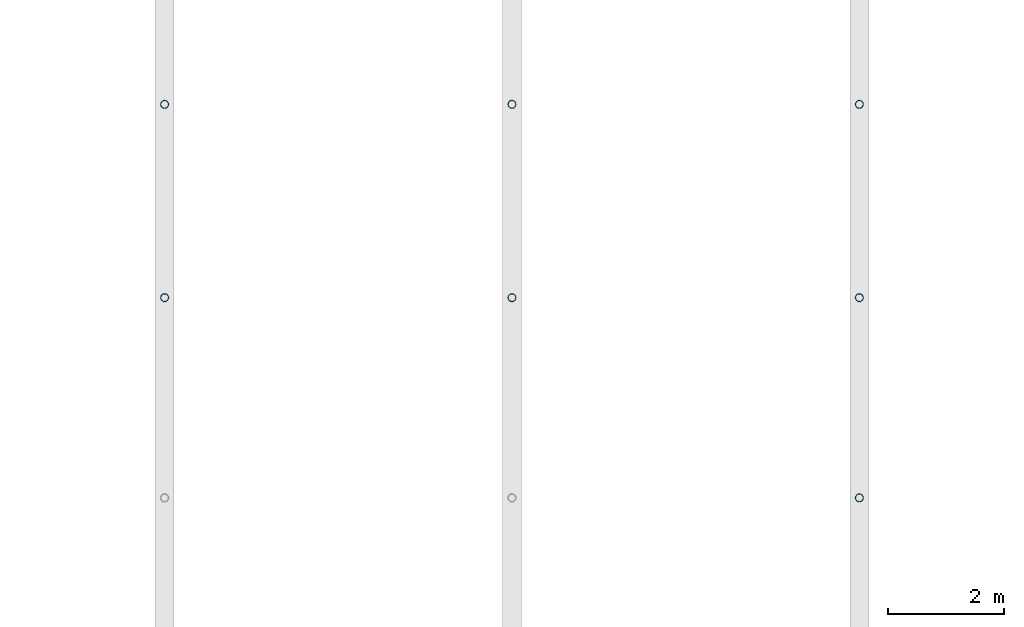
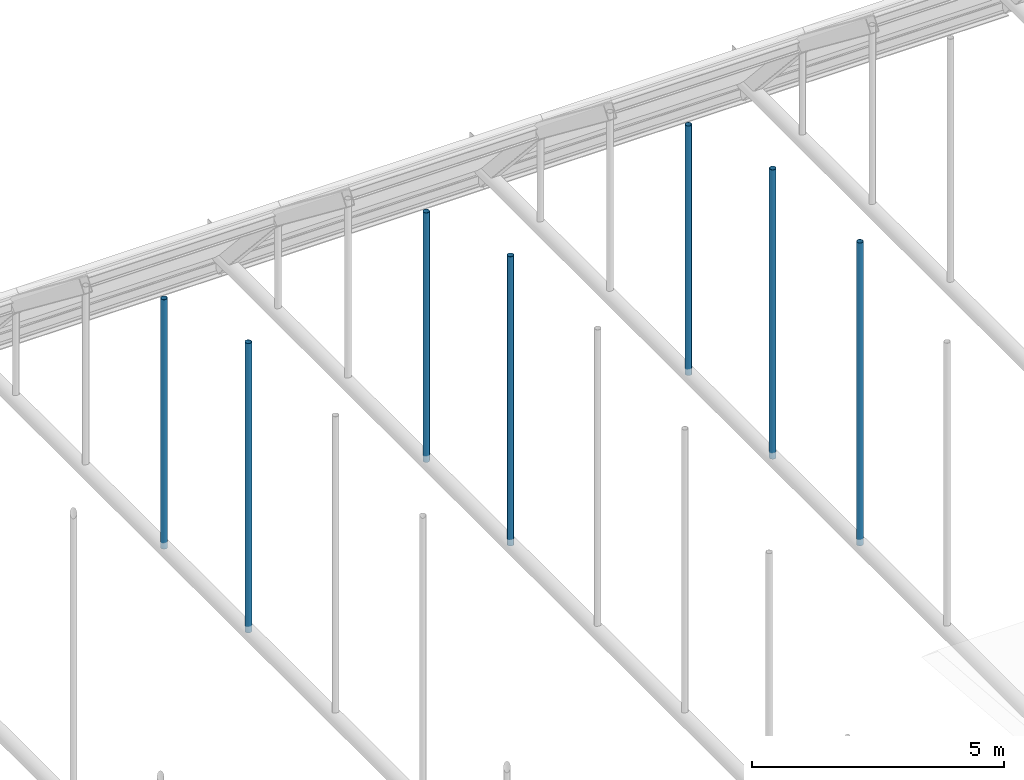
# One storey, part 51 of 116: 7 members.
"""IFC4 building model written with IfcOpenShell, lengths in metres."""

import ifcopenshell
import ifcopenshell.guid

model = None  # the IFC model being written
_history = None  # IfcOwnerHistory: only IFC2X3 demands one
_inside = {}  # id of a spatial element -> (the spatial element, [elements in it])
_under = {}  # id of a project, library or spatial element -> (it, [spatial elements below it])
_declared = {}  # id of a project -> (the project, [libraries it declares])
_typed = {}  # id of a type object -> (the type object, [elements of that type])
_made_of = {}  # id of a material, layer set ... -> (it, [elements and type objects made of it])


def new_model(schema):
    """Start an empty IFC model of exactly this schema.

    Asked for "IFC4X3", IfcOpenShell would pick the latest addendum, in which some entities
    have other attributes; the version numbers below select the first issue.
    IFC2X3 requires an IfcOwnerHistory on every rooted entity: one is made here for all.
    """
    global model, _history
    if schema == "IFC4X3":
        model = ifcopenshell.file(schema_version=(4, 3, 0, 0))
    else:
        model = ifcopenshell.file(schema=schema)
    _inside.clear()
    _under.clear()
    _declared.clear()
    _typed.clear()
    _made_of.clear()
    _history = None
    if model.schema == "IFC2X3":
        org = make("IfcOrganization", Name="unknown")
        user = make(
            "IfcPersonAndOrganization",
            ThePerson=make("IfcPerson", FamilyName="unknown"),
            TheOrganization=org,
        )
        app = make(
            "IfcApplication",
            ApplicationDeveloper=org,
            Version="unknown",
            ApplicationFullName="unknown",
            ApplicationIdentifier="unknown",
        )
        _history = make(
            "IfcOwnerHistory",
            OwningUser=user,
            OwningApplication=app,
            ChangeAction="ADDED",
            CreationDate=0,
        )
    return model


def make(cls, **values):
    """One entity of the class cls with the attributes given. An attribute that is None is left unset."""
    return model.create_entity(
        cls, **{name: value for name, value in values.items() if value is not None}
    )


def rooted(cls, **values):
    """An entity with a GlobalId (a new one), such as an element, a storey or a relation."""
    return make(cls, GlobalId=ifcopenshell.guid.new(), OwnerHistory=_history, **values)


def si_unit(unit_type, name, prefix=None):
    """IfcSIUnit, for example si_unit("LENGTHUNIT", "METRE", prefix="MILLI")."""
    return make("IfcSIUnit", UnitType=unit_type, Prefix=prefix, Name=name)


def assignment(units):
    """IfcUnitAssignment: the units of a project."""
    return None if units is None else make("IfcUnitAssignment", Units=units)


def point(xyz):
    """IfcCartesianPoint."""
    return None if xyz is None else make("IfcCartesianPoint", Coordinates=xyz)


def direction(xyz):
    """IfcDirection."""
    return None if xyz is None else make("IfcDirection", DirectionRatios=xyz)


def frame(location, z_axis=None, x_axis=None):
    """IfcAxis2Placement3D, a coordinate frame: its origin and axes. An axis left out is left unset."""
    return make(
        "IfcAxis2Placement3D",
        Location=point(location),
        Axis=direction(z_axis),
        RefDirection=direction(x_axis),
    )


def frame_2d(location, x_axis=None):
    """IfcAxis2Placement2D, a coordinate frame in the plane: its origin and x axis."""
    return make(
        "IfcAxis2Placement2D", Location=point(location), RefDirection=direction(x_axis)
    )


def origin():
    """The frame at (0, 0, 0) with its axes left unset."""
    return frame((0.0, 0.0, 0.0))


def origin_2d():
    """The frame at (0, 0) in the plane with its x axis left unset."""
    return frame_2d((0.0, 0.0))


def place(relative_to, where):
    """IfcLocalPlacement: puts the frame where relative to a parent placement (None: the world)."""
    return make(
        "IfcLocalPlacement", PlacementRelTo=relative_to, RelativePlacement=where
    )


def context(
    kind, dimensions, precision=None, world=None, true_north=None, identifier=None
):
    """IfcGeometricRepresentationContext, for example the 3D "Model" context."""
    return make(
        "IfcGeometricRepresentationContext",
        ContextIdentifier=identifier,
        ContextType=kind,
        CoordinateSpaceDimension=dimensions,
        Precision=precision,
        WorldCoordinateSystem=world,
        TrueNorth=true_north,
    )


def subcontext(parent, identifier, kind, view, scale=None):
    """IfcGeometricRepresentationSubContext, for example "Body" below "Model"."""
    return make(
        "IfcGeometricRepresentationSubContext",
        ContextIdentifier=identifier,
        ContextType=kind,
        ParentContext=parent,
        TargetScale=scale,
        TargetView=view,
    )


def project(units=None, contexts=None):
    """IfcProject with its units and contexts."""
    return rooted(
        "IfcProject",
        Name="project",
        RepresentationContexts=contexts,
        UnitsInContext=assignment(units),
    )


def spatial(cls, under=None, at=None, **own):
    """A site, building, storey or space (cls), placed at a placement, below another one or the project."""
    s = rooted(cls, ObjectPlacement=at, **own)
    if under is not None:
        _under.setdefault(under.id(), (under, []))[1].append(s)
    return s


def profile(cls, at=None, kind="AREA", **sizes):
    """A parametric profile (cls). Its sizes go by their IFC names, for example OverallWidth=200.0."""
    return make(cls, ProfileType=kind, Position=at, **sizes)


def hollow_circle(**sizes):
    """IfcCircleHollowProfileDef."""
    return profile("IfcCircleHollowProfileDef", **sizes)


def extrude(swept, where, along, depth):
    """IfcExtrudedAreaSolid: the profile swept, set in the frame where, extruded along a direction by depth."""
    return make(
        "IfcExtrudedAreaSolid",
        SweptArea=swept,
        Position=where,
        ExtrudedDirection=direction(along),
        Depth=depth,
    )


def shape(context_of_items, identifier, shape_type, items):
    """IfcShapeRepresentation: the items that make up one representation, for example the "Body"."""
    return make(
        "IfcShapeRepresentation",
        ContextOfItems=context_of_items,
        RepresentationIdentifier=identifier,
        RepresentationType=shape_type,
        Items=items,
    )


def material(Name=None, Category=None):
    """IfcMaterial."""
    return make("IfcMaterial", Name=Name, Category=Category)


def material_profile(
    of_material, cross_section, Name=None, Category=None, Priority=None
):
    """IfcMaterialProfile: a cross section and its material."""
    return make(
        "IfcMaterialProfile",
        Name=Name,
        Material=of_material,
        Profile=cross_section,
        Priority=Priority,
        Category=Category,
    )


def profile_set(profiles, Name=None, composite=None):
    """IfcMaterialProfileSet."""
    return make(
        "IfcMaterialProfileSet",
        Name=Name,
        MaterialProfiles=profiles,
        CompositeProfile=composite,
    )


def made_of(thing, what):
    """Note that an element or type object is made of a material, layer set ...; save() writes the relation."""
    if what is not None:
        _made_of.setdefault(what.id(), (what, []))[1].append(thing)
    return thing


def type_object(cls, material=None, **own):
    """A type object (cls), such as IfcWallType, which elements share."""
    return made_of(rooted(cls, **own), material)


def element(
    cls,
    number,
    at=None,
    inside=None,
    cuts=None,
    type_object=None,
    material=None,
    context=None,
    identifier="Body",
    shape_type=None,
    held_by="IfcProductDefinitionShape",
    body=None,
    shapes=None,
    **own,
):
    """One element of the class cls, such as IfcWall. Its Tag is "e" and its number.

    at: its placement. inside: the storey or other place that contains it. cuts: it is an
    opening in that element (IfcRelVoidsElement). A single representation is given by context,
    identifier, shape_type and body (its items); several are given by shapes. held_by: the class
    of the entity that holds the representations. save() writes the other relations.
    """
    e = rooted(cls, Tag="e%d" % number, ObjectPlacement=at, **own)
    if body is not None:
        shapes = [shape(context, identifier, shape_type, body)]
    if shapes is not None:
        e.Representation = make(held_by, Representations=shapes)
    if inside is not None:
        _inside.setdefault(inside.id(), (inside, []))[1].append(e)
    if cuts is not None:
        rooted(
            "IfcRelVoidsElement", RelatingBuildingElement=cuts, RelatedOpeningElement=e
        )
    if type_object is not None:
        _typed.setdefault(type_object.id(), (type_object, []))[1].append(e)
    return made_of(e, material)


def aggregate(whole, parts):
    """IfcRelAggregates: a whole, such as a stair, and the parts it consists of."""
    return rooted("IfcRelAggregates", RelatingObject=whole, RelatedObjects=parts)


def save(model, path):
    """Write the relations noted so far, then the file.

    IfcRelAggregates (storeys below a building ...), IfcRelContainedInSpatialStructure (elements
    in a storey), IfcRelDefinesByType, IfcRelAssociatesMaterial and IfcRelDeclares: one each for
    every whole, place, type object, material and project.
    """
    for whole, parts in _under.values():
        aggregate(whole, parts)
    for where, things in _inside.values():
        rooted(
            "IfcRelContainedInSpatialStructure",
            RelatedElements=things,
            RelatingStructure=where,
        )
    for kind, things in _typed.values():
        rooted("IfcRelDefinesByType", RelatedObjects=things, RelatingType=kind)
    for what, things in _made_of.values():
        rooted("IfcRelAssociatesMaterial", RelatedObjects=things, RelatingMaterial=what)
    for by, libraries in _declared.values():
        rooted("IfcRelDeclares", RelatingContext=by, RelatedDefinitions=libraries)
    model.write(path)


model = new_model("IFC4")

# Units and contexts
model_context = context("Model", 3, precision=1e-05, world=origin(), true_north=direction((0.0, 1.0)))
body_context = subcontext(model_context, "Body", "Model", "MODEL_VIEW")
ifc_project = project(units=[si_unit("LENGTHUNIT", "METRE"), si_unit("AREAUNIT", "SQUARE_METRE"), si_unit("VOLUMEUNIT", "CUBIC_METRE"), si_unit("PLANEANGLEUNIT", "RADIAN"), si_unit("MASSUNIT", "GRAM", prefix="KILO")], contexts=[model_context])

# Site, building, storey
site_placement = place(None, origin())
site = spatial("IfcSite", under=ifc_project, at=site_placement, CompositionType="ELEMENT")
building_placement = place(site_placement, origin())
building = spatial("IfcBuilding", under=site, at=building_placement, Name="Varnakota Square Police Headquarters", CompositionType="ELEMENT")
storey_placement = place(building_placement, frame((0.0, 0.0, 9.300048828125)))
storey = spatial("IfcBuildingStorey", under=building, at=storey_placement, Name="L02", CompositionType="ELEMENT", Elevation=9.300048828125)

# Members
ifc_material = material(Name="Steel IS 2062 Grade 350", Category="steel")
ifc_material_profile = material_profile(ifc_material, hollow_circle(Radius=0.06982421875, WallThickness=0.006103515625, at=origin_2d()), Name="CHS 139.7x6.0")
ifc_profile_set = profile_set([ifc_material_profile], Name="Steel IS 2062 Grade 350")
member_type = type_object("IfcMemberType", Name="MEM-HNG-CHS139", PredefinedType="STRUT", material=ifc_profile_set)
member_1_placement = place(storey_placement, frame((72.0, 27.45751953125, -0.150146484375), z_axis=(0.0, 0.0, 1.0), x_axis=(1.0, 0.0, 0.0)))
element("IfcMember", 1, at=member_1_placement, inside=storey, type_object=member_type, Name="Barrel vault hanger strut V1-R04-N6", PredefinedType="STRUT", context=body_context, shape_type="SweptSolid", body=[
    extrude(hollow_circle(Radius=0.06982421875, WallThickness=0.006103515625, at=origin_2d()), origin(), (0.0, 0.0, 1.0), 7.0),
])
member_2_placement = place(storey_placement, frame((72.0, 30.79638671875, -0.150146484375), z_axis=(0.0, 0.0, 1.0), x_axis=(1.0, 0.0, 0.0)))
element("IfcMember", 2, at=member_2_placement, inside=storey, type_object=member_type, Name="Barrel vault hanger strut V1-R04-N7", PredefinedType="STRUT", context=body_context, shape_type="SweptSolid", body=[
    extrude(hollow_circle(Radius=0.06982421875, WallThickness=0.006103515625, at=origin_2d()), origin(), (0.0, 0.0, 1.0), 6.035400390625),
])
member_3_placement = place(storey_placement, frame((78.0, 27.45751953125, -0.150146484375), z_axis=(0.0, 0.0, 1.0), x_axis=(1.0, 0.0, 0.0)))
element("IfcMember", 3, at=member_3_placement, inside=storey, type_object=member_type, Name="Barrel vault hanger strut V1-R05-N6", PredefinedType="STRUT", context=body_context, shape_type="SweptSolid", body=[
    extrude(hollow_circle(Radius=0.06982421875, WallThickness=0.006103515625, at=origin_2d()), origin(), (0.0, 0.0, 1.0), 7.0),
])
member_4_placement = place(storey_placement, frame((78.0, 30.79638671875, -0.150146484375), z_axis=(0.0, 0.0, 1.0), x_axis=(1.0, 0.0, 0.0)))
element("IfcMember", 4, at=member_4_placement, inside=storey, type_object=member_type, Name="Barrel vault hanger strut V1-R05-N7", PredefinedType="STRUT", context=body_context, shape_type="SweptSolid", body=[
    extrude(hollow_circle(Radius=0.06982421875, WallThickness=0.006103515625, at=origin_2d()), origin(), (0.0, 0.0, 1.0), 6.035400390625),
])
member_5_placement = place(storey_placement, frame((84.0, 24.0, -0.150146484375), z_axis=(0.0, 0.0, 1.0), x_axis=(1.0, 0.0, 0.0)))
element("IfcMember", 5, at=member_5_placement, inside=storey, type_object=member_type, Name="Barrel vault hanger strut V1-R06-N5", PredefinedType="STRUT", context=body_context, shape_type="SweptSolid", body=[
    extrude(hollow_circle(Radius=0.06982421875, WallThickness=0.006103515625, at=origin_2d()), origin(), (0.0, 0.0, 1.0), 7.326416015625),
])
member_6_placement = place(storey_placement, frame((84.0, 27.45751953125, -0.150146484375), z_axis=(0.0, 0.0, 1.0), x_axis=(1.0, 0.0, 0.0)))
element("IfcMember", 6, at=member_6_placement, inside=storey, type_object=member_type, Name="Barrel vault hanger strut V1-R06-N6", PredefinedType="STRUT", context=body_context, shape_type="SweptSolid", body=[
    extrude(hollow_circle(Radius=0.06982421875, WallThickness=0.006103515625, at=origin_2d()), origin(), (0.0, 0.0, 1.0), 7.0),
])
member_7_placement = place(storey_placement, frame((84.0, 30.79638671875, -0.150146484375), z_axis=(0.0, 0.0, 1.0), x_axis=(1.0, 0.0, 0.0)))
element("IfcMember", 7, at=member_7_placement, inside=storey, type_object=member_type, Name="Barrel vault hanger strut V1-R06-N7", PredefinedType="STRUT", context=body_context, shape_type="SweptSolid", body=[
    extrude(hollow_circle(Radius=0.06982421875, WallThickness=0.006103515625, at=origin_2d()), origin(), (0.0, 0.0, 1.0), 6.035400390625),
])

save(model, "model.ifc")
